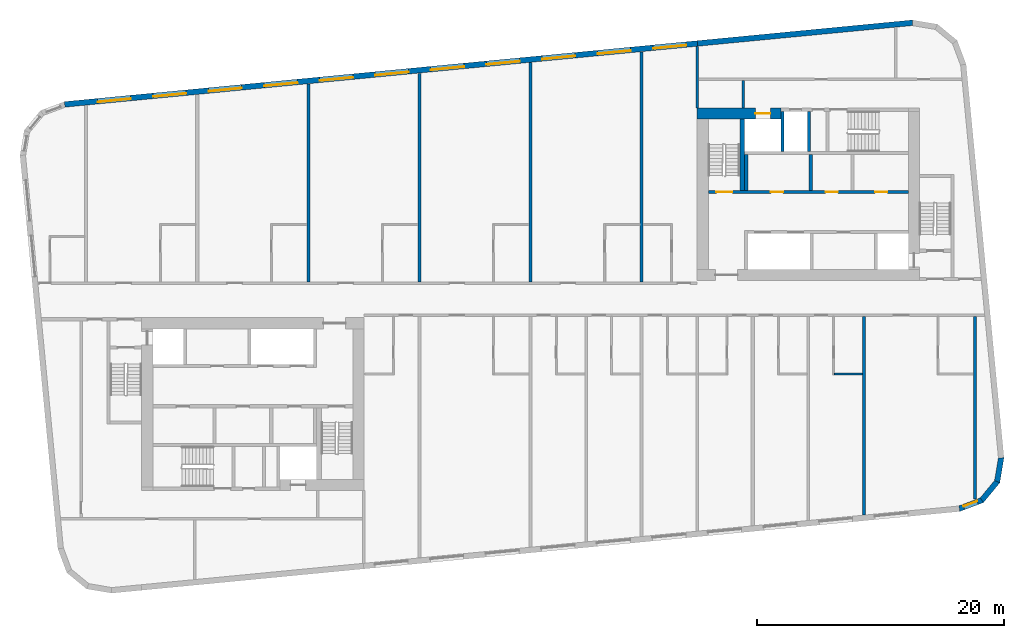
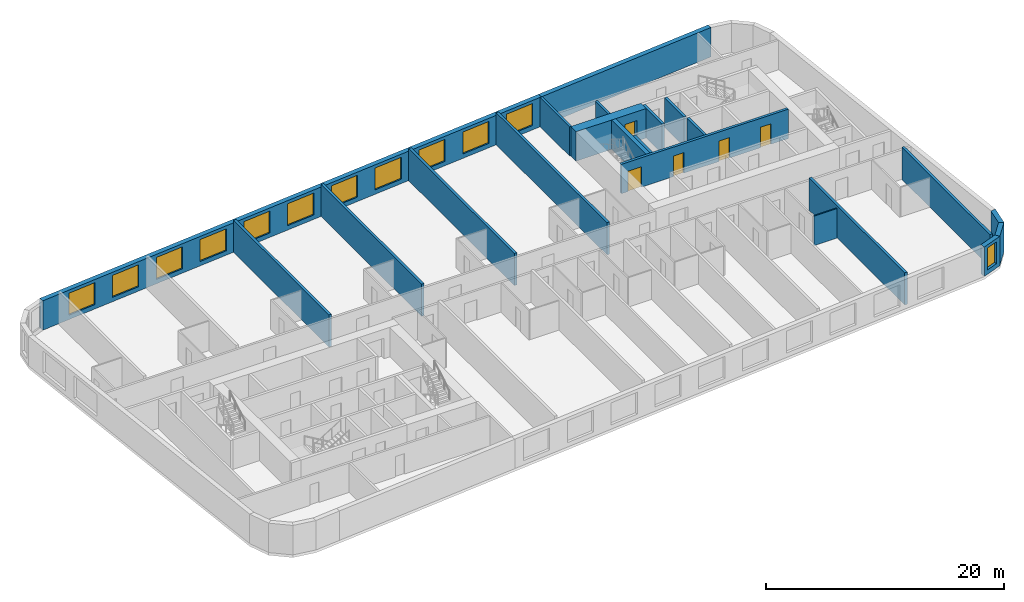
# One storey, part 6 of 11: 21 walls, 12 windows, 5 doors, 17 openings.
"""IFC4 building model written with IfcOpenShell, lengths in metres."""

from ifc_helpers import new_model, si_unit, direction, frame, frame_2d, origin, place, context, subcontext, project, spatial, polyline, rectangle, outline, extrude, material, layer, layer_set, type_object, element, fill, save


model = new_model("IFC4")

# Units and contexts
model_context = context("Model", 3, precision=1e-05, world=origin(), true_north=direction((0.0, 1.0)))
body_context = subcontext(model_context, "Body", "Model", "MODEL_VIEW")
ifc_project = project(units=[si_unit("LENGTHUNIT", "METRE"), si_unit("AREAUNIT", "SQUARE_METRE"), si_unit("VOLUMEUNIT", "CUBIC_METRE"), si_unit("PLANEANGLEUNIT", "RADIAN"), si_unit("MASSUNIT", "GRAM", prefix="KILO")], contexts=[model_context])

# Site, building, storey
site_placement = place(None, origin())
site = spatial("IfcSite", under=ifc_project, at=site_placement, CompositionType="ELEMENT")
building_placement = place(site_placement, origin())
building = spatial("IfcBuilding", under=site, at=building_placement, Name="Kajstack Hotel Tower", CompositionType="ELEMENT")
storey_placement = place(building_placement, frame((0.0, 0.0, 285.0)))
storey = spatial("IfcBuildingStorey", under=building, at=storey_placement, Name="L71", CompositionType="ELEMENT", Elevation=285.0)

# Wall, opening, door
ifc_material_1 = material(Name="Concrete C60/75", Category="concrete")
ifc_layer_1 = layer(ifc_material_1, 0.89990234375)
ifc_layer_set_1 = layer_set([ifc_layer_1], Name="Core wall 900")
wall_type_1 = type_object("IfcWallType", Name="Core wall 900", PredefinedType="SHEAR", material=ifc_layer_set_1)
wall_1_placement = place(storey_placement, frame((13.5, 15.050048828125, 0.0), z_axis=(0.0, 0.0, 1.0), x_axis=(1.0, 0.0, 0.0)))
wall_1 = element("IfcWall", 1, at=wall_1_placement, inside=storey, type_object=wall_type_1, Name="Core wall E RS", PredefinedType="SHEAR", context=body_context, shape_type="SweptSolid", body=[
    extrude(rectangle(XDim=6.800048828125, YDim=0.89990234375, at=frame_2d((3.39990234375, 0.0))), origin(), (0.0, 0.0, 1.0), 3.02001953125),
])
opening_1_placement = place(wall_1_placement, frame((4.72509765625, 0.0, 0.0)))
opening_1 = element("IfcOpeningElement", 2, at=opening_1_placement, cuts=wall_1, Name="Opening LD-SV2", PredefinedType="OPENING", context=body_context, shape_type="SweptSolid", body=[
    extrude(rectangle(XDim=1.199951171875, YDim=2.10009765625, at=frame_2d((0.60009765625, 1.050048828125))), frame((0.0, 0.4599609375, 0.0), z_axis=(0.0, -1.0, 0.0), x_axis=(1.0, 0.0, 0.0)), (0.0, 0.0, 1.0), 0.919921875),
])
ifc_material_2 = material(Name="Stainless steel", Category="steel")
door_type_1 = type_object("IfcDoorType", Name="Lift landing door 1200", OperationType="SLIDING_TO_LEFT", PredefinedType="DOOR", material=ifc_material_2)
door_1_placement = place(opening_1_placement, origin())
door_1 = element("IfcDoor", 3, at=door_1_placement, inside=storey, type_object=door_type_1, Name="Landing door SV2", OperationType="SLIDING_TO_LEFT", OverallHeight=2.10009765625, OverallWidth=1.199951171875, PredefinedType="DOOR", context=body_context, shape_type="SweptSolid", body=[
    extrude(rectangle(XDim=1.199951171875, YDim=2.10009765625, at=frame_2d((0.60009765625, 1.050048828125))), frame((0.0, 0.02490234375, 0.0), z_axis=(0.0, -1.0, 0.0), x_axis=(1.0, 0.0, 0.0)), (0.0, 0.0, 1.0), 0.050048828125),
])
fill(opening_1, door_1)

# Walls
ifc_material_3 = material(Name="Twin-frame gypsum board on steel studs, mineral wool", Category="steel")
ifc_layer_2 = layer(ifc_material_3, 0.199951171875)
ifc_layer_set_2 = layer_set([ifc_layer_2], Name="Demising wall 200")
wall_type_2 = type_object("IfcWallType", Name="Demising wall 200", PredefinedType="PARTITIONING", material=ifc_layer_set_2)
wall_2_placement = place(storey_placement, frame((13.5, 15.5, 0.0), z_axis=(0.0, 0.0, 1.0), x_axis=(0.0, 1.0, 0.0)))
element("IfcWall", 4, at=wall_2_placement, inside=storey, type_object=wall_type_2, Name="G-wall-L71-001", PredefinedType="PARTITIONING", context=body_context, shape_type="SweptSolid", body=[
    extrude(rectangle(XDim=4.985107421875, YDim=0.199951171875, at=frame_2d((2.49267578125, 0.0))), origin(), (0.0, 0.0, 1.0), 3.02001953125),
])
ifc_material_4 = material(Name="Concrete C40/50", Category="concrete")
ifc_layer_3 = layer(ifc_material_4, 0.449951171875)
ifc_layer_set_3 = layer_set([ifc_layer_3], Name="EW-CORE")
wall_type_3 = type_object("IfcWallType", Name="EW-CORE", PredefinedType="SOLIDWALL", material=ifc_layer_set_3)
wall_3_placement = place(storey_placement, frame((30.94580078125, 22.390625, 0.0), z_axis=(0.0, 0.0, 1.0), x_axis=(-0.995396397117, -0.095843688398, 0.0)))
element("IfcWall", 5, at=wall_3_placement, inside=storey, type_object=wall_type_3, Name="E-wall-L71-12-00", PredefinedType="SOLIDWALL", context=body_context, shape_type="SweptSolid", body=[
    extrude(rectangle(XDim=17.5048828125, YDim=0.449951171875, at=frame_2d((8.75244140625, 0.0))), origin(), (0.0, 0.0, 1.0), 3.02001953125),
])

# Wall, opening, window
ifc_material_5 = material(Name="Terracotta-faced brick masonry", Category="masonry")
ifc_layer_4 = layer(ifc_material_5, 0.449951171875)
ifc_layer_set_4 = layer_set([ifc_layer_4], Name="EW-TERRA")
wall_type_4 = type_object("IfcWallType", Name="EW-TERRA", PredefinedType="SOLIDWALL", material=ifc_layer_set_4)
wall_4_placement = place(storey_placement, frame((34.67919921875, -16.990478515625, 0.0), z_axis=(0.0, 0.0, 1.0), x_axis=(0.936677599948, 0.350192909346, 0.0)))
wall_4 = element("IfcWall", 6, at=wall_4_placement, inside=storey, type_object=wall_type_4, Name="E-wall-L71-05-00", PredefinedType="SOLIDWALL", context=body_context, shape_type="SweptSolid", body=[
    extrude(outline(polyline([(0.0, -0.22509765625), (2.070556640625, -0.22509765625), (1.949951171875, 0.22509765625), (0.12060546875, 0.22509765625), (0.0, -0.22509765625)])), origin(), (0.0, 0.0, 1.0), 3.02001953125),
])
opening_2_placement = place(wall_4_placement, frame((0.435302734375, 0.0, 0.449951171875)))
opening_2 = element("IfcOpeningElement", 7, at=opening_2_placement, cuts=wall_4, Name="Opening W3", PredefinedType="OPENING", context=body_context, shape_type="SweptSolid", body=[
    extrude(rectangle(XDim=1.199951171875, YDim=2.25, at=frame_2d((0.60009765625, 1.125))), frame((0.0, 0.23486328125, 0.0), z_axis=(0.0, -1.0, 0.0), x_axis=(1.0, 0.0, 0.0)), (0.0, 0.0, 1.0), 0.469970703125),
])
ifc_material_6 = material(Name="Timber-aluminium window, triple glazed", Category="wood")
window_type_1 = type_object("IfcWindowType", Name="WG3", PartitioningType="SINGLE_PANEL", PredefinedType="WINDOW", material=ifc_material_6)
window_1_placement = place(opening_2_placement, origin())
window_1 = element("IfcWindow", 8, at=window_1_placement, inside=storey, type_object=window_type_1, Name="Window W3 L71-05", OverallHeight=2.25, OverallWidth=1.199951171875, PartitioningType="SINGLE_PANEL", PredefinedType="WINDOW", context=body_context, shape_type="SweptSolid", body=[
    extrude(rectangle(XDim=1.199951171875, YDim=2.25, at=frame_2d((0.60009765625, 1.125))), frame((0.0, 0.090087890625, 0.0), z_axis=(0.0, -1.0, 0.0), x_axis=(1.0, 0.0, 0.0)), (0.0, 0.0, 1.0), 0.06005859375),
])
fill(opening_2, window_1)

# Walls
wall_5_placement = place(storey_placement, frame((36.52392578125, -16.3330078125, 0.0), z_axis=(0.0, 0.0, 1.0), x_axis=(0.636046112757, 0.771651049663, 0.0)))
element("IfcWall", 9, at=wall_5_placement, inside=storey, type_object=wall_type_4, Name="E-wall-L71-06-00", PredefinedType="SOLIDWALL", context=body_context, shape_type="SweptSolid", body=[
    extrude(outline(polyline([(0.0, -0.224853515625), (2.070556640625, -0.22509765625), (1.949951171875, 0.22509765625), (0.12060546875, 0.22509765625), (0.0, -0.224853515625)])), origin(), (0.0, 0.0, 1.0), 3.02001953125),
])
wall_6_placement = place(storey_placement, frame((37.79248046875, -14.84130859375, 0.0), z_axis=(0.0, 0.0, 1.0), x_axis=(0.165068144653, 0.986282164302, 0.0)))
element("IfcWall", 10, at=wall_6_placement, inside=storey, type_object=wall_type_4, Name="E-wall-L71-07-00", PredefinedType="SOLIDWALL", context=body_context, shape_type="SweptSolid", body=[
    extrude(outline(polyline([(0.0, -0.22509765625), (2.070556640625, -0.22509765625), (1.949951171875, 0.224853515625), (0.12060546875, 0.224853515625), (0.0, -0.22509765625)])), origin(), (0.0, 0.0, 1.0), 3.02001953125),
])

# Wall, openings, windows
wall_7_placement = place(storey_placement, frame((13.521484375, 20.712890625, 0.0), z_axis=(0.0, 0.0, 1.0), x_axis=(-0.995396277313, -0.095844932638, 0.0)))
wall_7 = element("IfcWall", 11, at=wall_7_placement, inside=storey, type_object=wall_type_4, Name="E-wall-L71-12-01", PredefinedType="SOLIDWALL", context=body_context, shape_type="SweptSolid", body=[
    extrude(rectangle(XDim=51.4951171875, YDim=0.449951171875, at=frame_2d((25.74755859375, 0.0))), origin(), (0.0, 0.0, 1.0), 3.02001953125),
])
opening_3_placement = place(wall_7_placement, frame((0.910400390625, 0.0, 0.449951171875)))
opening_3 = element("IfcOpeningElement", 12, at=opening_3_placement, cuts=wall_7, Name="Opening W1", PredefinedType="OPENING", context=body_context, shape_type="SweptSolid", body=[
    extrude(rectangle(XDim=2.699951171875, YDim=2.25, at=frame_2d((1.35009765625, 1.125))), frame((0.0, 0.23486328125, 0.0), z_axis=(0.0, -1.0, 0.0), x_axis=(1.0, 0.0, 0.0)), (0.0, 0.0, 1.0), 0.469970703125),
])
opening_4_placement = place(wall_7_placement, frame((5.43115234375, 0.0, 0.449951171875)))
opening_4 = element("IfcOpeningElement", 13, at=opening_4_placement, cuts=wall_7, Name="Opening W1", PredefinedType="OPENING", context=body_context, shape_type="SweptSolid", body=[
    extrude(rectangle(XDim=2.699951171875, YDim=2.25, at=frame_2d((1.35009765625, 1.125))), frame((0.0, 0.23486328125, 0.0), z_axis=(0.0, -1.0, 0.0), x_axis=(1.0, 0.0, 0.0)), (0.0, 0.0, 1.0), 0.469970703125),
])
opening_5_placement = place(wall_7_placement, frame((9.951904296875, 0.0, 0.449951171875)))
opening_5 = element("IfcOpeningElement", 14, at=opening_5_placement, cuts=wall_7, Name="Opening W1", PredefinedType="OPENING", context=body_context, shape_type="SweptSolid", body=[
    extrude(rectangle(XDim=2.699951171875, YDim=2.25, at=frame_2d((1.35009765625, 1.125))), frame((0.0, 0.23486328125, 0.0), z_axis=(0.0, -1.0, 0.0), x_axis=(1.0, 0.0, 0.0)), (0.0, 0.0, 1.0), 0.469970703125),
])
opening_6_placement = place(wall_7_placement, frame((14.472900390625, 0.0, 0.449951171875)))
opening_6 = element("IfcOpeningElement", 15, at=opening_6_placement, cuts=wall_7, Name="Opening W1", PredefinedType="OPENING", context=body_context, shape_type="SweptSolid", body=[
    extrude(rectangle(XDim=2.699951171875, YDim=2.25, at=frame_2d((1.35009765625, 1.125))), frame((0.0, 0.23486328125, 0.0), z_axis=(0.0, -1.0, 0.0), x_axis=(1.0, 0.0, 0.0)), (0.0, 0.0, 1.0), 0.469970703125),
])
opening_7_placement = place(wall_7_placement, frame((18.99365234375, 0.0, 0.449951171875)))
opening_7 = element("IfcOpeningElement", 16, at=opening_7_placement, cuts=wall_7, Name="Opening W1", PredefinedType="OPENING", context=body_context, shape_type="SweptSolid", body=[
    extrude(rectangle(XDim=2.699951171875, YDim=2.25, at=frame_2d((1.35009765625, 1.125))), frame((0.0, 0.23486328125, 0.0), z_axis=(0.0, -1.0, 0.0), x_axis=(1.0, 0.0, 0.0)), (0.0, 0.0, 1.0), 0.469970703125),
])
opening_8_placement = place(wall_7_placement, frame((23.514404296875, 0.0, 0.449951171875)))
opening_8 = element("IfcOpeningElement", 17, at=opening_8_placement, cuts=wall_7, Name="Opening W1", PredefinedType="OPENING", context=body_context, shape_type="SweptSolid", body=[
    extrude(rectangle(XDim=2.699951171875, YDim=2.25, at=frame_2d((1.35009765625, 1.125))), frame((0.0, 0.23486328125, 0.0), z_axis=(0.0, -1.0, 0.0), x_axis=(1.0, 0.0, 0.0)), (0.0, 0.0, 1.0), 0.469970703125),
])
opening_9_placement = place(wall_7_placement, frame((28.035400390625, 0.0, 0.449951171875)))
opening_9 = element("IfcOpeningElement", 18, at=opening_9_placement, cuts=wall_7, Name="Opening W1", PredefinedType="OPENING", context=body_context, shape_type="SweptSolid", body=[
    extrude(rectangle(XDim=2.699951171875, YDim=2.25, at=frame_2d((1.35009765625, 1.125))), frame((0.0, 0.23486328125, 0.0), z_axis=(0.0, -1.0, 0.0), x_axis=(1.0, 0.0, 0.0)), (0.0, 0.0, 1.0), 0.469970703125),
])
opening_10_placement = place(wall_7_placement, frame((32.55615234375, 0.0, 0.449951171875)))
opening_10 = element("IfcOpeningElement", 19, at=opening_10_placement, cuts=wall_7, Name="Opening W1", PredefinedType="OPENING", context=body_context, shape_type="SweptSolid", body=[
    extrude(rectangle(XDim=2.699951171875, YDim=2.25, at=frame_2d((1.35009765625, 1.125))), frame((0.0, 0.23486328125, 0.0), z_axis=(0.0, -1.0, 0.0), x_axis=(1.0, 0.0, 0.0)), (0.0, 0.0, 1.0), 0.469970703125),
])
opening_11_placement = place(wall_7_placement, frame((37.076904296875, 0.0, 0.449951171875)))
opening_11 = element("IfcOpeningElement", 20, at=opening_11_placement, cuts=wall_7, Name="Opening W1", PredefinedType="OPENING", context=body_context, shape_type="SweptSolid", body=[
    extrude(rectangle(XDim=2.699951171875, YDim=2.25, at=frame_2d((1.35009765625, 1.125))), frame((0.0, 0.23486328125, 0.0), z_axis=(0.0, -1.0, 0.0), x_axis=(1.0, 0.0, 0.0)), (0.0, 0.0, 1.0), 0.469970703125),
])
opening_12_placement = place(wall_7_placement, frame((41.59765625, 0.0, 0.449951171875)))
opening_12 = element("IfcOpeningElement", 21, at=opening_12_placement, cuts=wall_7, Name="Opening W1", PredefinedType="OPENING", context=body_context, shape_type="SweptSolid", body=[
    extrude(rectangle(XDim=2.699951171875, YDim=2.25, at=frame_2d((1.35009765625, 1.125))), frame((0.0, 0.23486328125, 0.0), z_axis=(0.0, -1.0, 0.0), x_axis=(1.0, 0.0, 0.0)), (0.0, 0.0, 1.0), 0.469970703125),
])
opening_13_placement = place(wall_7_placement, frame((46.118408203125, 0.0, 0.449951171875)))
opening_13 = element("IfcOpeningElement", 22, at=opening_13_placement, cuts=wall_7, Name="Opening W1", PredefinedType="OPENING", context=body_context, shape_type="SweptSolid", body=[
    extrude(rectangle(XDim=2.699951171875, YDim=2.25, at=frame_2d((1.35009765625, 1.125))), frame((0.0, 0.23486328125, 0.0), z_axis=(0.0, -1.0, 0.0), x_axis=(1.0, 0.0, 0.0)), (0.0, 0.0, 1.0), 0.469970703125),
])
window_type_2 = type_object("IfcWindowType", Name="WG1", PartitioningType="SINGLE_PANEL", PredefinedType="WINDOW", material=ifc_material_6)
window_2_placement = place(opening_3_placement, origin())
window_2 = element("IfcWindow", 23, at=window_2_placement, inside=storey, type_object=window_type_2, Name="Window W1 L71-12", OverallHeight=2.25, OverallWidth=2.699951171875, PartitioningType="SINGLE_PANEL", PredefinedType="WINDOW", context=body_context, shape_type="SweptSolid", body=[
    extrude(rectangle(XDim=2.699951171875, YDim=2.25, at=frame_2d((1.35009765625, 1.125))), frame((0.0, 0.090087890625, 0.0), z_axis=(0.0, -1.0, 0.0), x_axis=(1.0, 0.0, 0.0)), (0.0, 0.0, 1.0), 0.06005859375),
])
fill(opening_3, window_2)
window_3_placement = place(opening_4_placement, origin())
window_3 = element("IfcWindow", 24, at=window_3_placement, inside=storey, type_object=window_type_2, Name="Window W1 L71-12", OverallHeight=2.25, OverallWidth=2.699951171875, PartitioningType="SINGLE_PANEL", PredefinedType="WINDOW", context=body_context, shape_type="SweptSolid", body=[
    extrude(rectangle(XDim=2.699951171875, YDim=2.25, at=frame_2d((1.35009765625, 1.125))), frame((0.0, 0.090087890625, 0.0), z_axis=(0.0, -1.0, 0.0), x_axis=(1.0, 0.0, 0.0)), (0.0, 0.0, 1.0), 0.06005859375),
])
fill(opening_4, window_3)
window_4_placement = place(opening_5_placement, origin())
window_4 = element("IfcWindow", 25, at=window_4_placement, inside=storey, type_object=window_type_2, Name="Window W1 L71-12", OverallHeight=2.25, OverallWidth=2.699951171875, PartitioningType="SINGLE_PANEL", PredefinedType="WINDOW", context=body_context, shape_type="SweptSolid", body=[
    extrude(rectangle(XDim=2.699951171875, YDim=2.25, at=frame_2d((1.35009765625, 1.125))), frame((0.0, 0.090087890625, 0.0), z_axis=(0.0, -1.0, 0.0), x_axis=(1.0, 0.0, 0.0)), (0.0, 0.0, 1.0), 0.06005859375),
])
fill(opening_5, window_4)
window_5_placement = place(opening_6_placement, origin())
window_5 = element("IfcWindow", 26, at=window_5_placement, inside=storey, type_object=window_type_2, Name="Window W1 L71-12", OverallHeight=2.25, OverallWidth=2.699951171875, PartitioningType="SINGLE_PANEL", PredefinedType="WINDOW", context=body_context, shape_type="SweptSolid", body=[
    extrude(rectangle(XDim=2.699951171875, YDim=2.25, at=frame_2d((1.35009765625, 1.125))), frame((0.0, 0.090087890625, 0.0), z_axis=(0.0, -1.0, 0.0), x_axis=(1.0, 0.0, 0.0)), (0.0, 0.0, 1.0), 0.06005859375),
])
fill(opening_6, window_5)
window_6_placement = place(opening_7_placement, origin())
window_6 = element("IfcWindow", 27, at=window_6_placement, inside=storey, type_object=window_type_2, Name="Window W1 L71-12", OverallHeight=2.25, OverallWidth=2.699951171875, PartitioningType="SINGLE_PANEL", PredefinedType="WINDOW", context=body_context, shape_type="SweptSolid", body=[
    extrude(rectangle(XDim=2.699951171875, YDim=2.25, at=frame_2d((1.35009765625, 1.125))), frame((0.0, 0.090087890625, 0.0), z_axis=(0.0, -1.0, 0.0), x_axis=(1.0, 0.0, 0.0)), (0.0, 0.0, 1.0), 0.06005859375),
])
fill(opening_7, window_6)
window_7_placement = place(opening_8_placement, origin())
window_7 = element("IfcWindow", 28, at=window_7_placement, inside=storey, type_object=window_type_2, Name="Window W1 L71-12", OverallHeight=2.25, OverallWidth=2.699951171875, PartitioningType="SINGLE_PANEL", PredefinedType="WINDOW", context=body_context, shape_type="SweptSolid", body=[
    extrude(rectangle(XDim=2.699951171875, YDim=2.25, at=frame_2d((1.35009765625, 1.125))), frame((0.0, 0.090087890625, 0.0), z_axis=(0.0, -1.0, 0.0), x_axis=(1.0, 0.0, 0.0)), (0.0, 0.0, 1.0), 0.06005859375),
])
fill(opening_8, window_7)
window_8_placement = place(opening_9_placement, origin())
window_8 = element("IfcWindow", 29, at=window_8_placement, inside=storey, type_object=window_type_2, Name="Window W1 L71-12", OverallHeight=2.25, OverallWidth=2.699951171875, PartitioningType="SINGLE_PANEL", PredefinedType="WINDOW", context=body_context, shape_type="SweptSolid", body=[
    extrude(rectangle(XDim=2.699951171875, YDim=2.25, at=frame_2d((1.35009765625, 1.125))), frame((0.0, 0.090087890625, 0.0), z_axis=(0.0, -1.0, 0.0), x_axis=(1.0, 0.0, 0.0)), (0.0, 0.0, 1.0), 0.06005859375),
])
fill(opening_9, window_8)
window_9_placement = place(opening_10_placement, origin())
window_9 = element("IfcWindow", 30, at=window_9_placement, inside=storey, type_object=window_type_2, Name="Window W1 L71-12", OverallHeight=2.25, OverallWidth=2.699951171875, PartitioningType="SINGLE_PANEL", PredefinedType="WINDOW", context=body_context, shape_type="SweptSolid", body=[
    extrude(rectangle(XDim=2.699951171875, YDim=2.25, at=frame_2d((1.35009765625, 1.125))), frame((0.0, 0.090087890625, 0.0), z_axis=(0.0, -1.0, 0.0), x_axis=(1.0, 0.0, 0.0)), (0.0, 0.0, 1.0), 0.06005859375),
])
fill(opening_10, window_9)
window_10_placement = place(opening_11_placement, origin())
window_10 = element("IfcWindow", 31, at=window_10_placement, inside=storey, type_object=window_type_2, Name="Window W1 L71-12", OverallHeight=2.25, OverallWidth=2.699951171875, PartitioningType="SINGLE_PANEL", PredefinedType="WINDOW", context=body_context, shape_type="SweptSolid", body=[
    extrude(rectangle(XDim=2.699951171875, YDim=2.25, at=frame_2d((1.35009765625, 1.125))), frame((0.0, 0.090087890625, 0.0), z_axis=(0.0, -1.0, 0.0), x_axis=(1.0, 0.0, 0.0)), (0.0, 0.0, 1.0), 0.06005859375),
])
fill(opening_11, window_10)
window_11_placement = place(opening_12_placement, origin())
window_11 = element("IfcWindow", 32, at=window_11_placement, inside=storey, type_object=window_type_2, Name="Window W1 L71-12", OverallHeight=2.25, OverallWidth=2.699951171875, PartitioningType="SINGLE_PANEL", PredefinedType="WINDOW", context=body_context, shape_type="SweptSolid", body=[
    extrude(rectangle(XDim=2.699951171875, YDim=2.25, at=frame_2d((1.35009765625, 1.125))), frame((0.0, 0.090087890625, 0.0), z_axis=(0.0, -1.0, 0.0), x_axis=(1.0, 0.0, 0.0)), (0.0, 0.0, 1.0), 0.06005859375),
])
fill(opening_12, window_11)
window_12_placement = place(opening_13_placement, origin())
window_12 = element("IfcWindow", 33, at=window_12_placement, inside=storey, type_object=window_type_2, Name="Window W1 L71-12", OverallHeight=2.25, OverallWidth=2.699951171875, PartitioningType="SINGLE_PANEL", PredefinedType="WINDOW", context=body_context, shape_type="SweptSolid", body=[
    extrude(rectangle(XDim=2.699951171875, YDim=2.25, at=frame_2d((1.35009765625, 1.125))), frame((0.0, 0.090087890625, 0.0), z_axis=(0.0, -1.0, 0.0), x_axis=(1.0, 0.0, 0.0)), (0.0, 0.0, 1.0), 0.06005859375),
])
fill(opening_13, window_12)

# Walls
ifc_material_7 = material(Name="Gypsum board and tiled backer on steel studs", Category="steel")
ifc_layer_5 = layer(ifc_material_7, 0.125)
ifc_layer_set_5 = layer_set([ifc_layer_5], Name="En-suite wall 125")
wall_type_5 = type_object("IfcWallType", Name="En-suite wall 125", PredefinedType="PARTITIONING", material=ifc_layer_set_5)
wall_8_placement = place(storey_placement, frame((24.625, -6.06201171875, 0.0), z_axis=(0.0, 0.0, 1.0), x_axis=(1.0, 0.0, 0.0)))
element("IfcWall", 34, at=wall_8_placement, inside=storey, type_object=wall_type_5, Name="G-wall-L71-037", PredefinedType="PARTITIONING", context=body_context, shape_type="SweptSolid", body=[
    extrude(rectangle(XDim=2.25, YDim=0.125, at=frame_2d((1.125, 0.0))), origin(), (0.0, 0.0, 1.0), 3.02001953125),
])
ifc_layer_6 = layer(ifc_material_4, 0.25)
ifc_layer_set_6 = layer_set([ifc_layer_6], Name="RC cross wall 250 C40/50")
wall_type_6 = type_object("IfcWallType", Name="RC cross wall 250 C40/50", PredefinedType="SHEAR", material=ifc_layer_set_6)
wall_9_placement = place(storey_placement, frame((-18.0, 1.39990234375, 0.0), z_axis=(0.0, 0.0, 1.0), x_axis=(0.0, 1.0, 0.0)))
element("IfcWall", 35, at=wall_9_placement, inside=storey, type_object=wall_type_6, Name="S-wall-L71-03", PredefinedType="SHEAR", context=body_context, shape_type="SweptSolid", body=[
    extrude(rectangle(XDim=16.029541015625, YDim=0.25, at=frame_2d((8.0146484375, 0.0))), origin(), (0.0, 0.0, 1.0), 3.300048828125),
])
wall_10_placement = place(storey_placement, frame((-9.0, 1.39990234375, 0.0), z_axis=(0.0, 0.0, 1.0), x_axis=(0.0, 1.0, 0.0)))
element("IfcWall", 36, at=wall_10_placement, inside=storey, type_object=wall_type_6, Name="S-wall-L71-05", PredefinedType="SHEAR", context=body_context, shape_type="SweptSolid", body=[
    extrude(rectangle(XDim=16.896240234375, YDim=0.25, at=frame_2d((8.4482421875, 0.0))), origin(), (0.0, 0.0, 1.0), 3.300048828125),
])
wall_11_placement = place(storey_placement, frame((0.0, 1.39990234375, 0.0), z_axis=(0.0, 0.0, 1.0), x_axis=(0.0, 1.0, 0.0)))
element("IfcWall", 37, at=wall_11_placement, inside=storey, type_object=wall_type_6, Name="S-wall-L71-07", PredefinedType="SHEAR", context=body_context, shape_type="SweptSolid", body=[
    extrude(rectangle(XDim=17.7626953125, YDim=0.25, at=frame_2d((8.88134765625, 0.0))), origin(), (0.0, 0.0, 1.0), 3.300048828125),
])
wall_12_placement = place(storey_placement, frame((9.0, 1.39990234375, 0.0), z_axis=(0.0, 0.0, 1.0), x_axis=(0.0, 1.0, 0.0)))
element("IfcWall", 38, at=wall_12_placement, inside=storey, type_object=wall_type_6, Name="S-wall-L71-09", PredefinedType="SHEAR", context=body_context, shape_type="SweptSolid", body=[
    extrude(rectangle(XDim=18.62939453125, YDim=0.25, at=frame_2d((9.314697265625, 0.0))), origin(), (0.0, 0.0, 1.0), 3.300048828125),
])
wall_13_placement = place(storey_placement, frame((27.0, -17.47412109375, 0.0), z_axis=(0.0, 0.0, 1.0), x_axis=(0.0, 1.0, 0.0)))
element("IfcWall", 39, at=wall_13_placement, inside=storey, type_object=wall_type_6, Name="S-wall-L71-11", PredefinedType="SHEAR", context=body_context, shape_type="SweptSolid", body=[
    extrude(rectangle(XDim=16.07421875, YDim=0.25, at=frame_2d((8.037109375, 0.0))), origin(), (0.0, 0.0, 1.0), 3.300048828125),
])
wall_14_placement = place(storey_placement, frame((36.0, -16.198974609375, 0.0), z_axis=(0.0, 0.0, 1.0), x_axis=(0.0, 1.0, 0.0)))
element("IfcWall", 40, at=wall_14_placement, inside=storey, type_object=wall_type_6, Name="S-wall-L71-12", PredefinedType="SHEAR", context=body_context, shape_type="SweptSolid", body=[
    extrude(rectangle(XDim=14.799072265625, YDim=0.25, at=frame_2d((7.3994140625, 0.0))), origin(), (0.0, 0.0, 1.0), 3.300048828125),
])
ifc_material_8 = material(Name="Concrete block masonry", Category="masonry")
ifc_layer_7 = layer(ifc_material_8, 0.25)
ifc_layer_set_7 = layer_set([ifc_layer_7], Name="Riser partition 250")
wall_type_7 = type_object("IfcWallType", Name="Riser partition 250", PredefinedType="PARTITIONING", material=ifc_layer_set_7)
wall_15_placement = place(storey_placement, frame((22.699951171875, 8.800048828125, 0.0), z_axis=(0.0, 0.0, 1.0), x_axis=(0.0, 1.0, 0.0)))
element("IfcWall", 41, at=wall_15_placement, inside=storey, type_object=wall_type_7, Name="Partition E BF1", PredefinedType="PARTITIONING", context=body_context, shape_type="SweptSolid", body=[
    extrude(rectangle(XDim=2.89990234375, YDim=0.25, at=frame_2d((1.449951171875, 0.0))), origin(), (0.0, 0.0, 1.0), 3.02001953125),
])
wall_16_placement = place(storey_placement, frame((22.550048828125, 11.949951171875, 0.0), z_axis=(0.0, 0.0, 1.0), x_axis=(0.0, 1.0, 0.0)))
element("IfcWall", 42, at=wall_16_placement, inside=storey, type_object=wall_type_7, Name="Partition E SZ0", PredefinedType="PARTITIONING", context=body_context, shape_type="SweptSolid", body=[
    extrude(rectangle(XDim=3.25, YDim=0.25, at=frame_2d((1.625, 0.0))), origin(), (0.0, 0.0, 1.0), 3.02001953125),
])
ifc_material_9 = material(Name="Gypsum board on steel studs, mineral wool", Category="steel")
ifc_layer_8 = layer(ifc_material_9, 0.199951171875)
ifc_layer_set_8 = layer_set([ifc_layer_8], Name="Service partition 200")
wall_type_8 = type_object("IfcWallType", Name="Service partition 200", PredefinedType="PARTITIONING", material=ifc_layer_set_8)
wall_17_placement = place(storey_placement, frame((17.25, 15.5, 0.0), z_axis=(0.0, 0.0, 1.0), x_axis=(0.0, 1.0, 0.0)))
element("IfcWall", 43, at=wall_17_placement, inside=storey, type_object=wall_type_8, Name="Partition E SCE", PredefinedType="PARTITIONING", context=body_context, shape_type="SweptSolid", body=[
    extrude(rectangle(XDim=2.199951171875, YDim=0.199951171875, at=frame_2d((1.10009765625, 0.0))), origin(), (0.0, 0.0, 1.0), 3.02001953125),
])

# Wall, openings, doors
ifc_material_10 = material(Name="Concrete C50/60", Category="concrete")
ifc_layer_9 = layer(ifc_material_10, 0.25)
ifc_layer_set_9 = layer_set([ifc_layer_9], Name="Shaft wall 250")
wall_type_9 = type_object("IfcWallType", Name="Shaft wall 250", PredefinedType="SHEAR", material=ifc_layer_set_9)
wall_18_placement = place(storey_placement, frame((14.39990234375, 8.675048828125, 0.0), z_axis=(0.0, 0.0, 1.0), x_axis=(1.0, 0.0, 0.0)))
wall_18 = element("IfcWall", 44, at=wall_18_placement, inside=storey, type_object=wall_type_9, Name="Core wall E FB", PredefinedType="SHEAR", context=body_context, shape_type="SweptSolid", body=[
    extrude(rectangle(XDim=16.2001953125, YDim=0.25, at=frame_2d((8.10009765625, 0.0))), origin(), (0.0, 0.0, 1.0), 3.02001953125),
])
opening_14_placement = place(wall_18_placement, frame((0.64990234375, 0.0, 0.0)))
opening_14 = element("IfcOpeningElement", 45, at=opening_14_placement, cuts=wall_18, Name="Opening 71E09", PredefinedType="OPENING", context=body_context, shape_type="SweptSolid", body=[
    extrude(rectangle(XDim=1.300048828125, YDim=2.10009765625, at=frame_2d((0.64990234375, 1.050048828125))), frame((0.0, 0.135009765625, 0.0), z_axis=(0.0, -1.0, 0.0), x_axis=(1.0, 0.0, 0.0)), (0.0, 0.0, 1.0), 0.27001953125),
])
opening_15_placement = place(wall_18_placement, frame((13.512451171875, 0.0, 0.0)))
opening_15 = element("IfcOpeningElement", 46, at=opening_15_placement, cuts=wall_18, Name="Opening 71E13", PredefinedType="OPENING", context=body_context, shape_type="SweptSolid", body=[
    extrude(rectangle(XDim=1.0, YDim=2.10009765625, at=frame_2d((0.5, 1.050048828125))), frame((0.0, 0.135009765625, 0.0), z_axis=(0.0, -1.0, 0.0), x_axis=(1.0, 0.0, 0.0)), (0.0, 0.0, 1.0), 0.27001953125),
])
opening_16_placement = place(wall_18_placement, frame((9.5, 0.0, 0.0)))
opening_16 = element("IfcOpeningElement", 47, at=opening_16_placement, cuts=wall_18, Name="Opening 71E14", PredefinedType="OPENING", context=body_context, shape_type="SweptSolid", body=[
    extrude(rectangle(XDim=1.0, YDim=2.10009765625, at=frame_2d((0.5, 1.050048828125))), frame((0.0, 0.135009765625, 0.0), z_axis=(0.0, -1.0, 0.0), x_axis=(1.0, 0.0, 0.0)), (0.0, 0.0, 1.0), 0.27001953125),
])
opening_17_placement = place(wall_18_placement, frame((5.0625, 0.0, 0.0)))
opening_17 = element("IfcOpeningElement", 48, at=opening_17_placement, cuts=wall_18, Name="Opening 71E15", PredefinedType="OPENING", context=body_context, shape_type="SweptSolid", body=[
    extrude(rectangle(XDim=1.0, YDim=2.10009765625, at=frame_2d((0.5, 1.050048828125))), frame((0.0, 0.135009765625, 0.0), z_axis=(0.0, -1.0, 0.0), x_axis=(1.0, 0.0, 0.0)), (0.0, 0.0, 1.0), 0.27001953125),
])
ifc_material_11 = material(Name="Timber leaf, fire-rated", Category="wood")
door_type_2 = type_object("IfcDoorType", Name="Service room door 1000", OperationType="SINGLE_SWING_LEFT", PredefinedType="DOOR", material=ifc_material_11)
door_2_placement = place(opening_15_placement, origin())
door_2 = element("IfcDoor", 49, at=door_2_placement, inside=storey, type_object=door_type_2, Name="Door 71E13", OperationType="SINGLE_SWING_LEFT", OverallHeight=2.10009765625, OverallWidth=1.0, PredefinedType="DOOR", context=body_context, shape_type="SweptSolid", body=[
    extrude(rectangle(XDim=1.0, YDim=2.10009765625, at=frame_2d((0.5, 1.050048828125))), frame((0.0, 0.02490234375, 0.0), z_axis=(0.0, -1.0, 0.0), x_axis=(1.0, 0.0, 0.0)), (0.0, 0.0, 1.0), 0.050048828125),
])
fill(opening_15, door_2)
door_3_placement = place(opening_16_placement, origin())
door_3 = element("IfcDoor", 50, at=door_3_placement, inside=storey, type_object=door_type_2, Name="Door 71E14", OperationType="SINGLE_SWING_LEFT", OverallHeight=2.10009765625, OverallWidth=1.0, PredefinedType="DOOR", context=body_context, shape_type="SweptSolid", body=[
    extrude(rectangle(XDim=1.0, YDim=2.10009765625, at=frame_2d((0.5, 1.050048828125))), frame((0.0, 0.02490234375, 0.0), z_axis=(0.0, -1.0, 0.0), x_axis=(1.0, 0.0, 0.0)), (0.0, 0.0, 1.0), 0.050048828125),
])
fill(opening_16, door_3)
door_4_placement = place(opening_17_placement, origin())
door_4 = element("IfcDoor", 51, at=door_4_placement, inside=storey, type_object=door_type_2, Name="Door 71E15", OperationType="SINGLE_SWING_LEFT", OverallHeight=2.10009765625, OverallWidth=1.0, PredefinedType="DOOR", context=body_context, shape_type="SweptSolid", body=[
    extrude(rectangle(XDim=1.0, YDim=2.10009765625, at=frame_2d((0.5, 1.050048828125))), frame((0.0, 0.02490234375, 0.0), z_axis=(0.0, -1.0, 0.0), x_axis=(1.0, 0.0, 0.0)), (0.0, 0.0, 1.0), 0.050048828125),
])
fill(opening_17, door_4)
ifc_material_12 = material(Name="Steel leaf, fire-rated", Category="steel")
door_type_3 = type_object("IfcDoorType", Name="Stair door 1300", OperationType="SINGLE_SWING_LEFT", PredefinedType="DOOR", material=ifc_material_12)
door_5_placement = place(opening_14_placement, origin())
door_5 = element("IfcDoor", 52, at=door_5_placement, inside=storey, type_object=door_type_3, Name="Door 71E09", OperationType="SINGLE_SWING_LEFT", OverallHeight=2.10009765625, OverallWidth=1.300048828125, PredefinedType="DOOR", context=body_context, shape_type="SweptSolid", body=[
    extrude(rectangle(XDim=1.300048828125, YDim=2.10009765625, at=frame_2d((0.64990234375, 1.050048828125))), frame((0.0, 0.02490234375, 0.0), z_axis=(0.0, -1.0, 0.0), x_axis=(1.0, 0.0, 0.0)), (0.0, 0.0, 1.0), 0.050048828125),
])
fill(opening_14, door_5)

# Walls
wall_19_placement = place(storey_placement, frame((17.47509765625, 8.800048828125, 0.0), z_axis=(0.0, 0.0, 1.0), x_axis=(0.0, 1.0, 0.0)))
element("IfcWall", 53, at=wall_19_placement, inside=storey, type_object=wall_type_9, Name="Core wall E BE", PredefinedType="SHEAR", context=body_context, shape_type="SweptSolid", body=[
    extrude(rectangle(XDim=2.89990234375, YDim=0.25, at=frame_2d((1.449951171875, 0.0))), origin(), (0.0, 0.0, 1.0), 3.02001953125),
])
wall_20_placement = place(storey_placement, frame((20.425048828125, 11.949951171875, 0.0), z_axis=(0.0, 0.0, 1.0), x_axis=(0.0, 1.0, 0.0)))
element("IfcWall", 54, at=wall_20_placement, inside=storey, type_object=wall_type_9, Name="Core wall E SVW", PredefinedType="SHEAR", context=body_context, shape_type="SweptSolid", body=[
    extrude(rectangle(XDim=3.25, YDim=0.25, at=frame_2d((1.625, 0.0))), origin(), (0.0, 0.0, 1.0), 3.02001953125),
])
ifc_layer_10 = layer(ifc_material_10, 0.39990234375)
ifc_layer_set_10 = layer_set([ifc_layer_10], Name="Stair wall 400")
wall_type_10 = type_object("IfcWallType", Name="Stair wall 400", PredefinedType="SHEAR", material=ifc_layer_set_10)
wall_21_placement = place(storey_placement, frame((17.14990234375, 8.800048828125, 0.0), z_axis=(0.0, 0.0, 1.0), x_axis=(0.0, 1.0, 0.0)))
element("IfcWall", 55, at=wall_21_placement, inside=storey, type_object=wall_type_10, Name="Core wall E WW2", PredefinedType="SHEAR", context=body_context, shape_type="SweptSolid", body=[
    extrude(rectangle(XDim=5.800048828125, YDim=0.39990234375, at=frame_2d((2.89990234375, 0.0))), origin(), (0.0, 0.0, 1.0), 3.02001953125),
])

save(model, "model.ifc")
